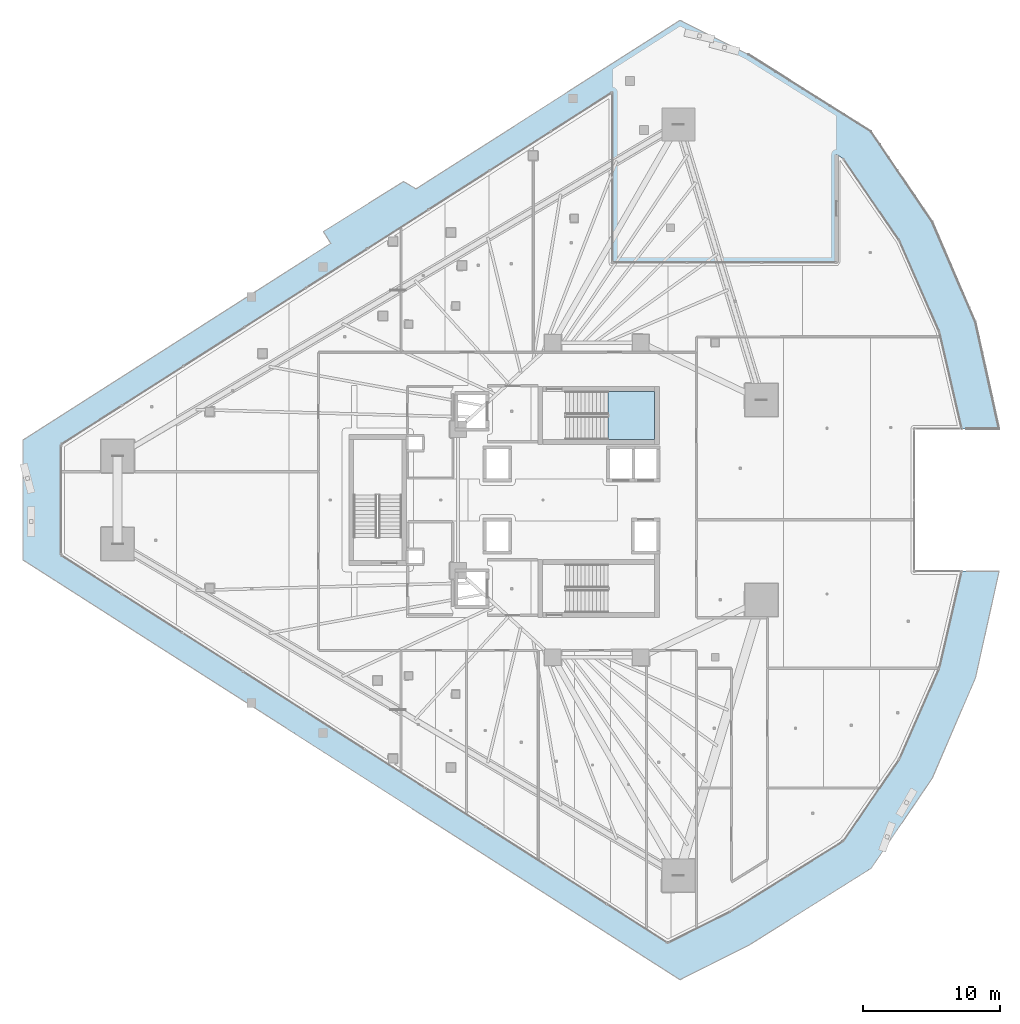
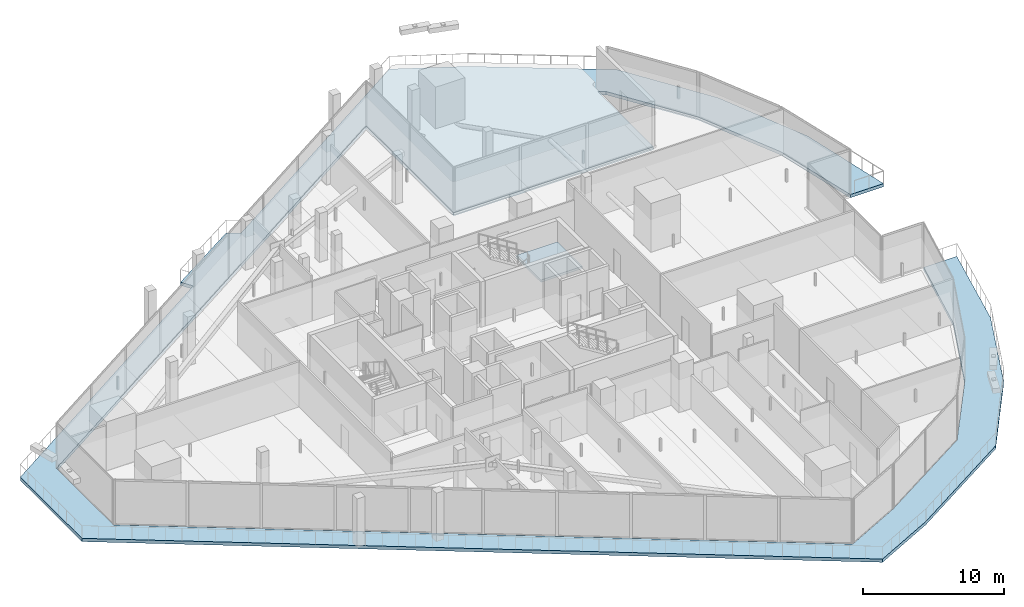
# One storey, part 30 of 47: 2 slabs, 1 element without a shape of its own.
"""IFC4 building model written with IfcOpenShell, lengths in metres."""

from ifc_helpers import new_model, si_unit, direction, frame, origin, place, context, subcontext, project, spatial, polyline, outline, extrude, material, layer, layer_set, type_object, element, aggregate, save


model = new_model("IFC4")

# Units and contexts
model_context = context("Model", 3, precision=1e-05, world=origin(), true_north=direction((0.0, 1.0)))
body_context = subcontext(model_context, "Body", "Model", "MODEL_VIEW")
ifc_project = project(units=[si_unit("LENGTHUNIT", "METRE"), si_unit("AREAUNIT", "SQUARE_METRE"), si_unit("VOLUMEUNIT", "CUBIC_METRE"), si_unit("PLANEANGLEUNIT", "RADIAN"), si_unit("MASSUNIT", "GRAM", prefix="KILO")], contexts=[model_context])

# Site, building, storey
site_placement = place(None, origin())
site = spatial("IfcSite", under=ifc_project, at=site_placement, CompositionType="ELEMENT")
building_placement = place(site_placement, origin())
building = spatial("IfcBuilding", under=site, at=building_placement, Name="Qorvath Tower", CompositionType="ELEMENT")
storey_placement = place(building_placement, frame((0.0, 0.0, 74.39990234375)))
storey = spatial("IfcBuildingStorey", under=building, at=storey_placement, Name="L16", CompositionType="ELEMENT", Elevation=74.39990234375)

# Stair, slab
ifc_material_1 = material(Name="Concrete C50/60", Category="concrete")
stair_type = type_object("IfcStairType", Name="ST-H420", PredefinedType="HALF_TURN_STAIR", material=ifc_material_1)
stair_placement = place(storey_placement, origin())
stair = element("IfcStair", 1, at=stair_placement, inside=storey, type_object=stair_type, Name="L16 Tower Exit Stair 1", PredefinedType="HALF_TURN_STAIR")
ifc_material_2 = material(Name="Concrete C50/60", Category="concrete")
ifc_layer_1 = layer(ifc_material_2, 0.199951171875)
ifc_layer_set_1 = layer_set([ifc_layer_1], Name="SL-LND-200")
slab_type_1 = type_object("IfcSlabType", Name="SL-LND-200", PredefinedType="LANDING", material=ifc_layer_set_1)
slab_1_placement = place(storey_placement, frame((0.0, 0.0, 1.900146484375)))
slab_1 = element("IfcSlab", 2, at=slab_1_placement, type_object=slab_type_1, Name="TS1 landing 1", PredefinedType="LANDING", context=body_context, shape_type="SweptSolid", body=[
    extrude(outline(polyline([(-19.590087890625, 4.39990234375), (-16.199951171875, 4.39990234375), (-16.199951171875, 7.909912109375), (-19.590087890625, 7.909912109375), (-19.590087890625, 4.39990234375)])), origin(), (0.0, 0.0, 1.0), 0.199951171875),
])
aggregate(stair, [slab_1])

# Slab
ifc_material_3 = material(Name="Precast concrete C45/55", Category="concrete")
ifc_layer_2 = layer(ifc_material_3, 0.280029296875)
ifc_layer_set_2 = layer_set([ifc_layer_2], Name="SL-LOG-280")
slab_type_2 = type_object("IfcSlabType", Name="SL-LOG-280", PredefinedType="FLOOR", material=ifc_layer_set_2)
slab_2_placement = place(storey_placement, frame((0.0, 0.0, -0.27978515625)))
element("IfcSlab", 3, at=slab_2_placement, inside=storey, type_object=slab_type_2, Name="Tower L16 Perimeter Loggia and Terrace Slab", PredefinedType="FLOOR", context=body_context, shape_type="SweptSolid", body=[
    extrude(outline(polyline([(-14.362548828125, 34.912353515625), (-33.5595703125, 22.642822265625), (-34.47119140625, 23.17578125), (-40.3125, 19.52587890625), (-39.767578125, 18.67529296875), (-62.1591796875, 4.364013671875), (-62.1591796875, -4.364013671875), (-14.362548828125, -34.912353515625), (-9.375, -32.418701171875), (-0.43896484375, -26.798583984375), (4.012939453125, -20.22607421875), (7.152587890625, -12.934814453125), (8.867919921875, -5.18408203125), (6.15185546875, -5.18408203125), (4.525634765625, -12.23095703125), (1.622802734375, -18.85498046875), (-2.456298828125, -24.827392578125), (-10.6455078125, -29.94091796875), (-15.251953125, -32.244140625), (-59.395751953125, -4.030517578125), (-59.395751953125, 4.030517578125), (-19.280029296875, 29.669677734375), (-19.280029296875, 17.280029296875), (-2.9599609375, 17.280029296875), (-2.9599609375, 25.141845703125), (-2.456298828125, 24.827392578125), (1.622802734375, 18.85498046875), (4.525634765625, 12.23095703125), (6.15185546875, 5.18408203125), (8.867919921875, 5.18408203125), (7.152587890625, 12.934814453125), (4.012939453125, 20.22607421875), (-0.43896484375, 26.798583984375), (-9.375, 32.418701171875), (-14.362548828125, 34.912353515625)])), origin(), (0.0, 0.0, 1.0), 0.27978515625),
])

save(model, "model.ifc")
